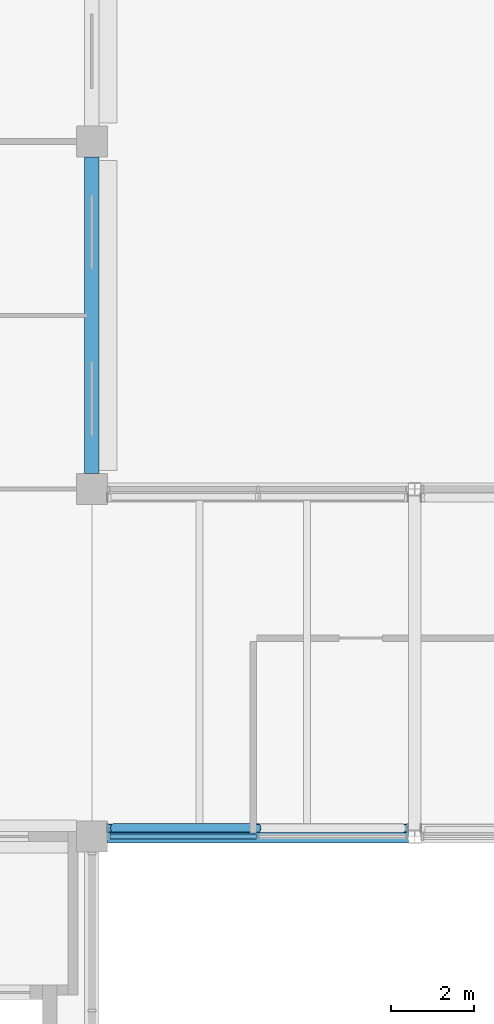
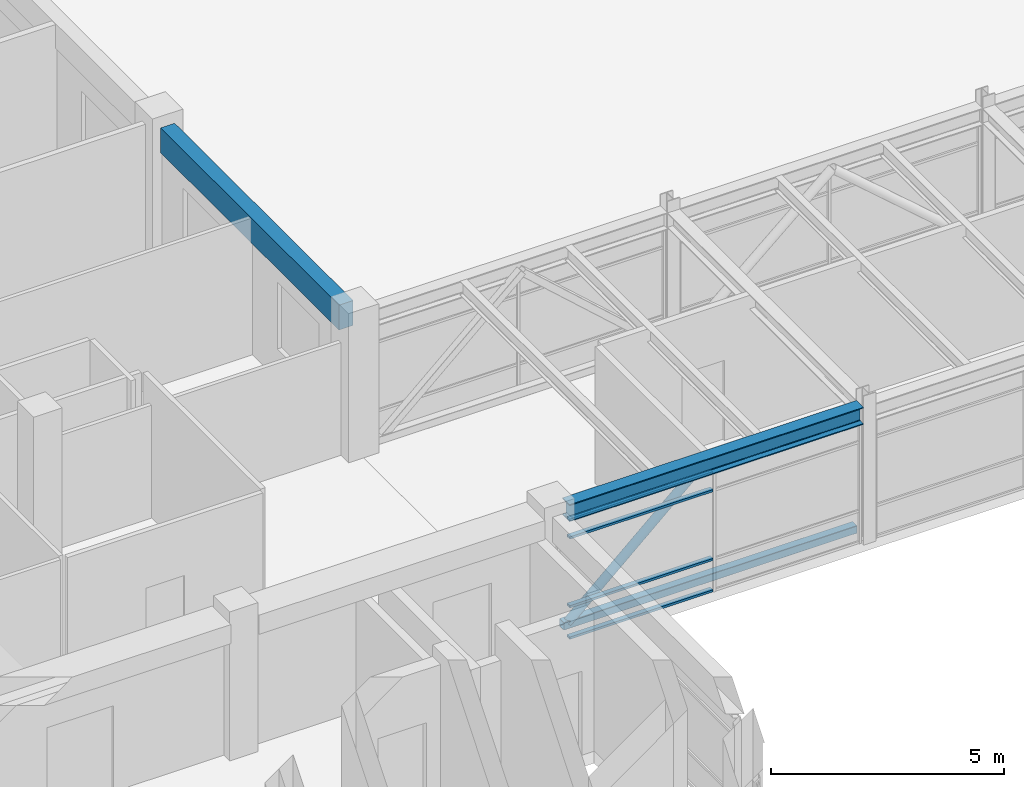
# One storey, part 10 of 72: 6 members, 2 beams, 1 element without a shape of its own.
"""IFC4 building model written with IfcOpenShell, lengths in metres."""

from ifc_helpers import new_model, si_unit, direction, frame, origin, origin_2d, place, context, subcontext, project, spatial, rectangle, hollow_rectangle, hollow_circle, i_section, extrude, material, material_profile, profile_set, type_object, element, aggregate, save


model = new_model("IFC4")

# Units and contexts
model_context = context("Model", 3, precision=1e-05, world=origin(), true_north=direction((0.0, 1.0)))
body_context = subcontext(model_context, "Body", "Model", "MODEL_VIEW")
ifc_project = project(units=[si_unit("LENGTHUNIT", "METRE"), si_unit("AREAUNIT", "SQUARE_METRE"), si_unit("VOLUMEUNIT", "CUBIC_METRE"), si_unit("PLANEANGLEUNIT", "RADIAN"), si_unit("MASSUNIT", "GRAM", prefix="KILO"), si_unit("THERMODYNAMICTEMPERATUREUNIT", "KELVIN"), si_unit("POWERUNIT", "WATT")], contexts=[model_context])

# Site, building, storey
site_placement = place(None, origin())
site = spatial("IfcSite", under=ifc_project, at=site_placement, CompositionType="ELEMENT")
building_placement = place(site_placement, origin())
building = spatial("IfcBuilding", under=site, at=building_placement, Name="Srebrne Nadtorze General Hospital", CompositionType="ELEMENT")
storey_placement = place(building_placement, frame((0.0, 0.0, 22.199951171875)))
storey = spatial("IfcBuildingStorey", under=building, at=storey_placement, Name="L05", CompositionType="ELEMENT", Elevation=22.199951171875)

# Beam
ifc_material_1 = material(Name="Steel S355J2", Category="steel")
ifc_material_profile_1 = material_profile(ifc_material_1, i_section(OverallWidth=0.300048828125, OverallDepth=0.449951171875, WebThickness=0.013916015625, FlangeThickness=0.02587890625, FilletRadius=0.027099609375, at=origin_2d()), Name="HEB-450")
ifc_profile_set_1 = profile_set([ifc_material_profile_1], Name="Steel S355J2")
beam_type_1 = type_object("IfcBeamType", Name="Courtyard bridge girder HEB 450", PredefinedType="BEAM", material=ifc_profile_set_1)
beam_1_placement = place(storey_placement, frame((54.97509765625, 50.39990234375, 3.375), z_axis=(1.0, 0.0, 0.0), x_axis=(0.0, 1.0, 0.0)))
element("IfcBeam", 1, at=beam_1_placement, inside=storey, type_object=beam_type_1, Name="Beam BM-L05-X-1022", PredefinedType="BEAM", context=body_context, shape_type="SweptSolid", body=[
    extrude(i_section(OverallWidth=0.300048828125, OverallDepth=0.449951171875, WebThickness=0.013916015625, FlangeThickness=0.02587890625, FilletRadius=0.027099609375, at=origin_2d()), origin(), (0.0, 0.0, 1.0), 7.27490234375),
])

# Curtain wall, members
ifc_material_2 = material(Name="Anodised Aluminium", Category="aluminium")
curtain_wall_type = type_object("IfcCurtainWallType", Name="Bridge curtain wall 7275x3150", PredefinedType="NOTDEFINED", material=ifc_material_2)
curtain_wall_placement = place(storey_placement, origin())
curtain_wall = element("IfcCurtainWall", 2, at=curtain_wall_placement, inside=storey, type_object=curtain_wall_type, Name="Curtain wall CW-118", PredefinedType="NOTDEFINED")
ifc_material_3 = material(Name="Anodised Aluminium", Category="aluminium")
ifc_material_profile_2 = material_profile(ifc_material_3, hollow_rectangle(XDim=0.06005859375, YDim=0.1201171875, WallThickness=0.00390625, at=origin_2d()), Name="AL-TRN-60x120")
ifc_profile_set_2 = profile_set([ifc_material_profile_2], Name="Anodised Aluminium")
member_type_1 = type_object("IfcMemberType", Name="Curtain transom 60x120", PredefinedType="USERDEFINED", material=ifc_profile_set_2)
member_1_placement = place(storey_placement, frame((55.034912109375, 50.39990234375, 0.030029296875), z_axis=(1.0, 0.0, 0.0), x_axis=(0.0, 0.0, 1.0)))
member_1 = element("IfcMember", 3, at=member_1_placement, type_object=member_type_1, Name="CW-118 transom 1.1", ObjectType="TRANSOM", PredefinedType="USERDEFINED", context=body_context, shape_type="SweptSolid", body=[
    extrude(hollow_rectangle(XDim=0.06005859375, YDim=0.1201171875, WallThickness=0.00390625, at=origin_2d()), origin(), (0.0, 0.0, 1.0), 3.547607421875),
])
member_2_placement = place(storey_placement, frame((55.034912109375, 50.39990234375, 0.85009765625), z_axis=(1.0, 0.0, 0.0), x_axis=(0.0, 0.0, 1.0)))
member_2 = element("IfcMember", 4, at=member_2_placement, type_object=member_type_1, Name="CW-118 transom 1.2", ObjectType="TRANSOM", PredefinedType="USERDEFINED", context=body_context, shape_type="SweptSolid", body=[
    extrude(hollow_rectangle(XDim=0.06005859375, YDim=0.1201171875, WallThickness=0.00390625, at=origin_2d()), origin(), (0.0, 0.0, 1.0), 3.547607421875),
])
member_3_placement = place(storey_placement, frame((55.034912109375, 50.39990234375, 2.650146484375), z_axis=(1.0, 0.0, 0.0), x_axis=(0.0, 0.0, 1.0)))
member_3 = element("IfcMember", 5, at=member_3_placement, type_object=member_type_1, Name="CW-118 transom 1.3", ObjectType="TRANSOM", PredefinedType="USERDEFINED", context=body_context, shape_type="SweptSolid", body=[
    extrude(hollow_rectangle(XDim=0.06005859375, YDim=0.1201171875, WallThickness=0.00390625, at=origin_2d()), origin(), (0.0, 0.0, 1.0), 3.547607421875),
])
member_4_placement = place(storey_placement, frame((55.034912109375, 50.39990234375, 3.1201171875), z_axis=(1.0, 0.0, 0.0), x_axis=(0.0, 0.0, 1.0)))
member_4 = element("IfcMember", 6, at=member_4_placement, type_object=member_type_1, Name="CW-118 transom 1.4", ObjectType="TRANSOM", PredefinedType="USERDEFINED", context=body_context, shape_type="SweptSolid", body=[
    extrude(hollow_rectangle(XDim=0.06005859375, YDim=0.1201171875, WallThickness=0.00390625, at=origin_2d()), origin(), (0.0, 0.0, 1.0), 3.547607421875),
])
aggregate(curtain_wall, [member_1, member_2, member_3, member_4])

# Member
ifc_material_4 = material(Name="Steel S355J2", Category="steel")
ifc_material_profile_3 = material_profile(ifc_material_4, hollow_circle(Radius=0.109619140625, WallThickness=0.008056640625, at=origin_2d()), Name="CHS-219.1x8")
ifc_profile_set_3 = profile_set([ifc_material_profile_3], Name="Steel S355J2")
member_type_2 = type_object("IfcMemberType", Name="Diagonal brace CHS 219.1x8", PredefinedType="BRACE", material=ifc_profile_set_3)
member_5_placement = place(storey_placement, frame((55.125, 50.6044921875, 0.25), z_axis=(0.744213065874, 0.0, 0.667942297345), x_axis=(0.0, 1.0, 0.0)))
element("IfcMember", 7, at=member_5_placement, inside=storey, type_object=member_type_2, Name="Clinical courtyard bridge brace 1", PredefinedType="BRACE", context=body_context, shape_type="SweptSolid", body=[
    extrude(hollow_circle(Radius=0.109619140625, WallThickness=0.008056640625, at=origin_2d()), origin(), (0.0, 0.0, 1.0), 4.686279296875),
])

# Beam
ifc_material_5 = material(Name="Concrete C35/45", Category="concrete")
ifc_material_profile_4 = material_profile(ifc_material_5, rectangle(XDim=0.35009765625, YDim=0.64990234375, at=origin_2d()), Name="RC-BM-350x650")
ifc_profile_set_4 = profile_set([ifc_material_profile_4], Name="Concrete C35/45")
beam_type_2 = type_object("IfcBeamType", Name="Edge beam RC 350x650", PredefinedType="BEAM", material=ifc_profile_set_4)
beam_2_placement = place(storey_placement, frame((54.60009765625, 59.175048828125, 3.275146484375), z_axis=(0.0, 1.0, 0.0), x_axis=(-1.0, 0.0, 0.0)))
element("IfcBeam", 8, at=beam_2_placement, inside=storey, type_object=beam_type_2, Name="Beam BM-L05-Y-1084", PredefinedType="BEAM", context=body_context, shape_type="SweptSolid", body=[
    extrude(rectangle(XDim=0.35009765625, YDim=0.64990234375, at=origin_2d()), origin(), (0.0, 0.0, 1.0), 7.64990234375),
])

# Member
ifc_material_6 = material(Name="Steel S355J2", Category="steel")
ifc_material_profile_5 = material_profile(ifc_material_6, hollow_rectangle(XDim=0.199951171875, YDim=0.199951171875, WallThickness=0.010009765625, InnerFilletRadius=0.010009765625, OuterFilletRadius=0.014892578125, at=origin_2d()), Name="SHS-200x200x10")
ifc_profile_set_5 = profile_set([ifc_material_profile_5], Name="Steel S355J2")
member_type_3 = type_object("IfcMemberType", Name="Truss chord SHS 200x200x10", PredefinedType="CHORD", material=ifc_profile_set_5)
member_6_placement = place(storey_placement, frame((54.987060546875, 50.60498046875, 0.25), z_axis=(1.0, 0.0, 0.0), x_axis=(0.0, 1.0, 0.0)))
element("IfcMember", 9, at=member_6_placement, inside=storey, type_object=member_type_3, Name="Clinical courtyard bridge truss chord 1", PredefinedType="CHORD", context=body_context, shape_type="SweptSolid", body=[
    extrude(hollow_rectangle(XDim=0.199951171875, YDim=0.199951171875, WallThickness=0.010009765625, InnerFilletRadius=0.010009765625, OuterFilletRadius=0.014892578125, at=origin_2d()), origin(), (0.0, 0.0, 1.0), 7.2509765625),
])

save(model, "model.ifc")
